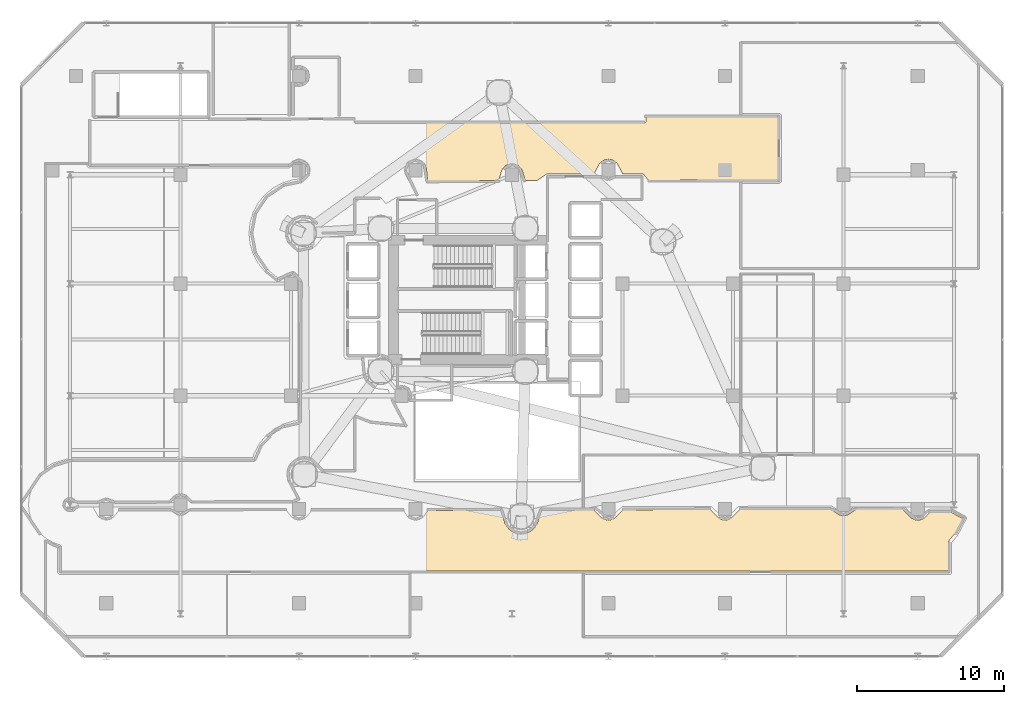
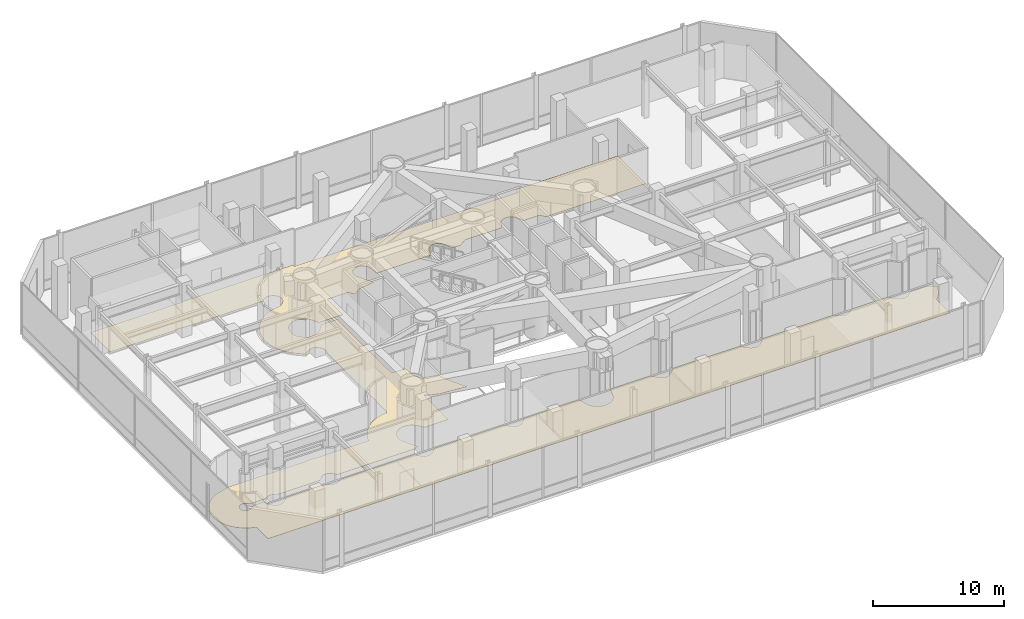
# One storey, part 39 of 40: 1 covering.
"""IFC4 building model written with IfcOpenShell, lengths in metres."""

from ifc_helpers import new_model, si_unit, direction, frame, origin, place, context, subcontext, project, spatial, polyline, outline, extrude, material, layer, layer_set, type_object, element, save


model = new_model("IFC4")

# Units and contexts
model_context = context("Model", 3, precision=1e-05, world=origin(), true_north=direction((0.0, 1.0)))
body_context = subcontext(model_context, "Body", "Model", "MODEL_VIEW")
ifc_project = project(units=[si_unit("LENGTHUNIT", "METRE"), si_unit("AREAUNIT", "SQUARE_METRE"), si_unit("VOLUMEUNIT", "CUBIC_METRE"), si_unit("PLANEANGLEUNIT", "RADIAN"), si_unit("MASSUNIT", "GRAM", prefix="KILO")], contexts=[model_context])

# Site, building, storey
site_placement = place(None, origin())
site = spatial("IfcSite", under=ifc_project, at=site_placement, CompositionType="ELEMENT")
building_placement = place(site_placement, origin())
building = spatial("IfcBuilding", under=site, at=building_placement, Name="Qianvela Tower", CompositionType="ELEMENT")
storey_placement = place(building_placement, frame((0.0, 0.0, 20.60009765625)))
storey = spatial("IfcBuildingStorey", under=building, at=storey_placement, Name="L04", CompositionType="ELEMENT", Elevation=20.60009765625)

# Covering
ifc_material = material(Name="Honed Stone Terrazzo Flooring", Category="masonry")
ifc_layer = layer(ifc_material, 0.030029296875)
ifc_layer_set = layer_set([ifc_layer], Name="Honed Stone Terrazzo Flooring")
covering_type = type_object("IfcCoveringType", Name="COV-FLOOR-TERRAZZO-30", PredefinedType="FLOORING", material=ifc_layer_set)
covering_placement = place(storey_placement, origin())
element("IfcCovering", 1, at=covering_placement, inside=storey, type_object=covering_type, Name="L04 Finish Flooring L04 Concourse Gallery Corridor", PredefinedType="FLOORING", context=body_context, shape_type="SweptSolid", body=[
    extrude(outline(polyline([(7.701416015625, 15.2333984375), (7.6953125, 15.237548828125), (7.68896484375, 15.2412109375), (7.682373046875, 15.243896484375), (7.67529296875, 15.246337890625), (7.668212890625, 15.248046875), (7.660888671875, 15.249267578125), (7.4296875, 15.27197265625), (7.422119140625, 15.272216796875), (7.4140625, 15.27197265625), (7.406494140625, 15.270751953125), (7.398681640625, 15.268798828125), (7.391357421875, 15.26611328125), (7.247314453125, 15.20654296875), (7.239990234375, 15.203125), (7.2333984375, 15.19921875), (7.22705078125, 15.1943359375), (7.22119140625, 15.189208984375), (7.11083984375, 15.078857421875), (7.105712890625, 15.072998046875), (7.100830078125, 15.066650390625), (7.096923828125, 15.059814453125), (7.093505859375, 15.052734375), (7.03369140625, 14.90869140625), (7.031005859375, 14.9013671875), (7.029296875, 14.8935546875), (7.028076171875, 14.885986328125), (7.027587890625, 14.8779296875), (7.027587890625, 14.721923828125), (7.028076171875, 14.714111328125), (7.029296875, 14.706298828125), (7.031005859375, 14.69873046875), (7.03369140625, 14.69140625), (7.093505859375, 14.547119140625), (7.096923828125, 14.5400390625), (7.100830078125, 14.533203125), (7.105712890625, 14.527099609375), (7.11083984375, 14.521240234375), (7.22119140625, 14.410888671875), (7.22705078125, 14.405517578125), (7.2333984375, 14.40087890625), (7.239990234375, 14.39697265625), (7.247314453125, 14.3935546875), (7.391357421875, 14.333740234375), (7.398681640625, 14.3310546875), (7.406494140625, 14.3291015625), (7.4140625, 14.328125), (7.422119140625, 14.32763671875), (7.4296875, 14.328125), (7.660888671875, 14.350830078125), (7.668212890625, 14.351806640625), (7.675537109375, 14.353759765625), (7.6826171875, 14.356201171875), (7.689453125, 14.359130859375), (7.69580078125, 14.36279296875), (7.701904296875, 14.3671875), (8.094482421875, 14.67041015625), (9.038818359375, 14.6728515625), (9.344482421875, 14.101318359375), (9.348388671875, 14.094482421875), (9.35302734375, 14.088134765625), (9.433837890625, 13.989501953125), (9.439208984375, 13.98388671875), (9.445068359375, 13.978515625), (9.451416015625, 13.973876953125), (9.662109375, 13.8330078125), (9.6689453125, 13.828857421875), (9.676025390625, 13.82568359375), (9.683349609375, 13.822998046875), (9.69091796875, 13.821044921875), (9.939697265625, 13.771484375), (9.947509765625, 13.7705078125), (9.955322265625, 13.77001953125), (9.963134765625, 13.7705078125), (9.970947265625, 13.771484375), (10.2197265625, 13.821044921875), (10.227294921875, 13.822998046875), (10.23486328125, 13.82568359375), (10.241943359375, 13.828857421875), (10.354248046875, 13.888916015625), (10.361083984375, 13.89306640625), (10.3671875, 13.897705078125), (10.4658203125, 13.978515625), (10.4716796875, 13.98388671875), (10.476806640625, 13.989501953125), (10.81005859375, 14.3955078125), (14.338623046875, 14.404296875), (14.703857421875, 14.135009765625), (14.711181640625, 14.13037109375), (14.718994140625, 14.126220703125), (14.72705078125, 14.123291015625), (14.735595703125, 14.12109375), (14.984375, 14.071533203125), (14.9921875, 14.0703125), (15.0, 14.070068359375), (15.0078125, 14.0703125), (15.015625, 14.071533203125), (15.264404296875, 14.12109375), (15.27294921875, 14.123291015625), (15.281005859375, 14.126220703125), (15.288818359375, 14.13037109375), (15.29638671875, 14.135009765625), (15.665283203125, 14.40771484375), (22.166748046875, 14.423828125), (22.523193359375, 13.989501953125), (22.5283203125, 13.98388671875), (22.5341796875, 13.978515625), (22.6328125, 13.897705078125), (22.638916015625, 13.89306640625), (22.645751953125, 13.888916015625), (22.65283203125, 13.885498046875), (22.88720703125, 13.78857421875), (22.89453125, 13.785888671875), (22.902099609375, 13.783935546875), (22.909912109375, 13.782958984375), (23.036865234375, 13.7705078125), (23.044677734375, 13.77001953125), (23.052490234375, 13.7705078125), (23.17919921875, 13.782958984375), (23.18701171875, 13.783935546875), (23.194580078125, 13.785888671875), (23.201904296875, 13.78857421875), (23.436279296875, 13.885498046875), (23.443359375, 13.888916015625), (23.4501953125, 13.89306640625), (23.45654296875, 13.897705078125), (23.554931640625, 13.978515625), (23.560791015625, 13.98388671875), (23.566162109375, 13.989501953125), (23.899169921875, 14.3955078125), (30.12841796875, 14.4111328125), (30.4150390625, 13.981689453125), (30.419921875, 13.9755859375), (30.425048828125, 13.9697265625), (30.430908203125, 13.96435546875), (30.437255859375, 13.959716796875), (30.654541015625, 13.814453125), (30.661376953125, 13.810302734375), (30.66845703125, 13.80712890625), (30.67578125, 13.804443359375), (30.683349609375, 13.802490234375), (30.939697265625, 13.75146484375), (30.947509765625, 13.75048828125), (30.955322265625, 13.75), (30.963134765625, 13.75048828125), (30.970947265625, 13.75146484375), (31.227294921875, 13.802490234375), (31.235107421875, 13.804443359375), (31.242431640625, 13.80712890625), (31.24951171875, 13.810302734375), (31.256103515625, 13.814453125), (31.4736328125, 13.959716796875), (31.47998046875, 13.96435546875), (31.485595703125, 13.9697265625), (31.490966796875, 13.9755859375), (31.49560546875, 13.981689453125), (31.785400390625, 14.415283203125), (36.746826171875, 14.427734375), (37.0087890625, 13.564208984375), (37.01123046875, 13.556884765625), (37.0146484375, 13.5498046875), (37.1181640625, 13.35595703125), (37.122314453125, 13.349365234375), (37.126953125, 13.343017578125), (37.26611328125, 13.17333984375), (37.271484375, 13.16748046875), (37.27734375, 13.162109375), (37.447021484375, 13.02294921875), (37.453369140625, 13.018310546875), (37.4599609375, 13.01416015625), (37.65380859375, 12.91064453125), (37.660888671875, 12.9072265625), (37.668212890625, 12.90478515625), (37.87841796875, 12.841064453125), (37.885986328125, 12.839111328125), (37.893798828125, 12.837890625), (38.1123046875, 12.81640625), (38.1201171875, 12.81591796875), (38.127685546875, 12.81640625), (38.34619140625, 12.837890625), (38.35400390625, 12.839111328125), (38.36181640625, 12.841064453125), (38.57177734375, 12.90478515625), (38.5791015625, 12.9072265625), (38.586181640625, 12.91064453125), (38.780029296875, 13.01416015625), (38.78662109375, 13.018310546875), (38.79296875, 13.02294921875), (38.962646484375, 13.162109375), (38.968505859375, 13.16748046875), (38.973876953125, 13.17333984375), (39.113037109375, 13.343017578125), (39.117919921875, 13.349365234375), (39.121826171875, 13.35595703125), (39.225341796875, 13.5498046875), (39.228759765625, 13.556884765625), (39.231201171875, 13.564208984375), (39.495361328125, 14.4345703125), (43.05859375, 14.443359375), (43.61572265625, 13.88623046875), (43.62158203125, 13.881103515625), (43.6279296875, 13.87646484375), (43.634765625, 13.872314453125), (43.641845703125, 13.868896484375), (43.88330078125, 13.76904296875), (43.890625, 13.766357421875), (43.898193359375, 13.764404296875), (43.906005859375, 13.76318359375), (44.036865234375, 13.75048828125), (44.044677734375, 13.75), (44.052490234375, 13.75048828125), (44.18310546875, 13.76318359375), (44.19091796875, 13.764404296875), (44.198486328125, 13.766357421875), (44.205810546875, 13.76904296875), (44.447509765625, 13.868896484375), (44.45458984375, 13.872314453125), (44.461181640625, 13.87646484375), (44.467529296875, 13.881103515625), (44.473388671875, 13.88623046875), (45.035400390625, 14.448486328125), (50.94970703125, 14.463134765625), (51.526611328125, 13.88623046875), (51.532470703125, 13.881103515625), (51.538818359375, 13.87646484375), (51.54541015625, 13.872314453125), (51.552490234375, 13.868896484375), (51.794189453125, 13.76904296875), (51.801513671875, 13.766357421875), (51.80908203125, 13.764404296875), (51.81689453125, 13.76318359375), (51.947509765625, 13.75048828125), (51.955322265625, 13.75), (51.963134765625, 13.75048828125), (52.093994140625, 13.76318359375), (52.101806640625, 13.764404296875), (52.109375, 13.766357421875), (52.11669921875, 13.76904296875), (52.358154296875, 13.868896484375), (52.365234375, 13.872314453125), (52.3720703125, 13.87646484375), (52.37841796875, 13.881103515625), (52.38427734375, 13.88623046875), (52.966064453125, 14.46826171875), (59.146484375, 14.483642578125), (59.69921875, 14.114501953125), (59.705810546875, 14.1103515625), (59.712890625, 14.107177734375), (59.720458984375, 14.1044921875), (59.72802734375, 14.1025390625), (59.984375, 14.051513671875), (59.9921875, 14.05029296875), (60.0, 14.050048828125), (60.0078125, 14.05029296875), (60.015625, 14.051513671875), (60.27197265625, 14.1025390625), (60.279541015625, 14.1044921875), (60.287109375, 14.107177734375), (60.294189453125, 14.1103515625), (60.30078125, 14.114501953125), (60.85986328125, 14.48779296875), (64.0107421875, 14.495849609375), (64.615478515625, 13.88671875), (64.621337890625, 13.881103515625), (64.627685546875, 13.87646484375), (64.634521484375, 13.872314453125), (64.641845703125, 13.868896484375), (64.88330078125, 13.76904296875), (64.890625, 13.766357421875), (64.898193359375, 13.764404296875), (64.906005859375, 13.76318359375), (64.913818359375, 13.762939453125), (65.17529296875, 13.762939453125), (65.18310546875, 13.76318359375), (65.19091796875, 13.764404296875), (65.198486328125, 13.766357421875), (65.205810546875, 13.76904296875), (65.447509765625, 13.868896484375), (65.45458984375, 13.872314453125), (65.461181640625, 13.87646484375), (65.467529296875, 13.881103515625), (65.473388671875, 13.88623046875), (65.853515625, 14.2666015625), (67.3291015625, 14.270263671875), (68.10693359375, 13.8544921875), (67.5556640625, 12.822998046875), (67.138916015625, 12.32958984375), (67.134033203125, 12.3232421875), (67.1298828125, 12.31640625), (67.126220703125, 12.30908203125), (67.12353515625, 12.301513671875), (67.12158203125, 12.293701171875), (67.120361328125, 12.285888671875), (67.1201171875, 12.27783203125), (67.1201171875, 10.280029296875), (6.8798828125, 10.280029296875), (6.8798828125, 11.996337890625), (6.879638671875, 12.00439453125), (6.87841796875, 12.01220703125), (6.876708984375, 12.019775390625), (6.873779296875, 12.027099609375), (6.87060546875, 12.0341796875), (6.866455078125, 12.041015625), (6.86181640625, 12.047119140625), (6.856689453125, 12.052978515625), (6.850830078125, 12.058349609375), (6.844482421875, 12.06298828125), (6.837646484375, 12.06689453125), (6.83056640625, 12.0703125), (6.8232421875, 12.072998046875), (6.4208984375, 12.195068359375), (5.93359375, 12.45556640625), (5.506103515625, 12.80615234375), (5.155517578125, 13.2333984375), (4.89501953125, 13.720947265625), (4.734619140625, 14.25), (4.680419921875, 14.800048828125), (4.734619140625, 15.35009765625), (4.89501953125, 15.87890625), (5.155517578125, 16.366455078125), (5.506103515625, 16.793701171875), (5.93359375, 17.144287109375), (6.4208984375, 17.405029296875), (7.624267578125, 17.77001953125), (14.4921875, 17.77001953125), (14.500244140625, 17.7705078125), (15.0, 17.819580078125), (15.499755859375, 17.7705078125), (15.5078125, 17.77001953125), (20.012451171875, 17.77001953125), (20.020263671875, 17.7705078125), (20.028076171875, 17.771484375), (20.03564453125, 17.7734375), (20.043212890625, 17.776123046875), (20.050048828125, 17.779296875), (20.056884765625, 17.783447265625), (20.063232421875, 17.7880859375), (20.069091796875, 17.79345703125), (20.07421875, 17.79931640625), (20.0791015625, 17.8056640625), (20.0830078125, 17.812255859375), (20.086181640625, 17.8193359375), (20.089111328125, 17.826904296875), (20.198486328125, 18.187744140625), (20.51904296875, 18.78759765625), (20.95068359375, 19.3134765625), (21.476318359375, 19.744873046875), (22.076171875, 20.0654296875), (22.72705078125, 20.262939453125), (23.10791015625, 20.30029296875), (23.115478515625, 20.301513671875), (23.123291015625, 20.303466796875), (23.130615234375, 20.30615234375), (23.1376953125, 20.3095703125), (23.144287109375, 20.3134765625), (23.15087890625, 20.318115234375), (23.156494140625, 20.323486328125), (23.161865234375, 20.329345703125), (23.16650390625, 20.335693359375), (23.170654296875, 20.34228515625), (23.173828125, 20.349365234375), (23.176513671875, 20.356689453125), (23.178466796875, 20.364501953125), (23.1796875, 20.372314453125), (23.179931640625, 20.380126953125), (23.179931640625, 21.872314453125), (23.248046875, 22.182861328125), (23.24951171875, 22.19140625), (23.25, 22.199951171875), (23.24951171875, 22.20849609375), (23.248046875, 22.217041015625), (23.179931640625, 22.527587890625), (23.179931640625, 29.468994140625), (23.233642578125, 29.64599609375), (23.235595703125, 29.65380859375), (23.23681640625, 29.661376953125), (23.237060546875, 29.669189453125), (23.237060546875, 29.9306640625), (23.23681640625, 29.938720703125), (23.235595703125, 29.9462890625), (23.233642578125, 29.953857421875), (23.23095703125, 29.961181640625), (23.131103515625, 30.202880859375), (23.127685546875, 30.2099609375), (23.12353515625, 30.216796875), (23.118896484375, 30.222900390625), (23.03564453125, 30.324462890625), (23.0302734375, 30.330322265625), (23.0244140625, 30.335693359375), (22.6982421875, 30.603515625), (22.69189453125, 30.60791015625), (22.685302734375, 30.612060546875), (22.677978515625, 30.615478515625), (22.670654296875, 30.6181640625), (22.6630859375, 30.6201171875), (22.6552734375, 30.62109375), (22.6474609375, 30.62158203125), (22.6396484375, 30.62109375), (22.6318359375, 30.6201171875), (22.624267578125, 30.6181640625), (22.220458984375, 30.49560546875), (22.212890625, 30.492919921875), (22.205810546875, 30.489501953125), (21.6162109375, 30.17431640625), (20.884521484375, 30.774658203125), (20.453125, 31.30029296875), (20.132568359375, 31.900146484375), (19.93505859375, 32.551025390625), (19.868408203125, 33.22802734375), (19.93505859375, 33.90478515625), (20.132568359375, 34.555908203125), (20.453125, 35.155517578125), (20.884521484375, 35.681396484375), (21.410400390625, 36.11279296875), (22.01025390625, 36.43359375), (22.6611328125, 36.630859375), (23.20703125, 36.684814453125), (23.21484375, 36.685791015625), (23.222412109375, 36.687744140625), (23.229736328125, 36.6904296875), (23.23681640625, 36.69384765625), (23.24365234375, 36.69775390625), (23.25, 36.702392578125), (23.569091796875, 36.96435546875), (23.574951171875, 36.9697265625), (23.580078125, 36.9755859375), (23.5849609375, 36.981689453125), (23.72998046875, 37.19921875), (23.734130859375, 37.205810546875), (23.737548828125, 37.212890625), (23.740234375, 37.220458984375), (23.7421875, 37.22802734375), (23.793212890625, 37.484375), (23.794189453125, 37.4921875), (23.794677734375, 37.5), (23.794189453125, 37.5078125), (23.78125, 37.638671875), (23.7802734375, 37.646240234375), (23.7783203125, 37.65380859375), (23.775634765625, 37.661376953125), (23.675537109375, 37.90283203125), (23.672119140625, 37.909912109375), (23.668212890625, 37.916748046875), (23.66357421875, 37.923095703125), (23.658203125, 37.9287109375), (23.473388671875, 38.11376953125), (23.467529296875, 38.118896484375), (23.461181640625, 38.12353515625), (23.45458984375, 38.127685546875), (23.447509765625, 38.131103515625), (23.205810546875, 38.23095703125), (23.198486328125, 38.233642578125), (23.19091796875, 38.235595703125), (23.18310546875, 38.23681640625), (23.052490234375, 38.24951171875), (23.044677734375, 38.25), (23.036865234375, 38.24951171875), (22.906005859375, 38.23681640625), (22.898193359375, 38.235595703125), (22.890625, 38.233642578125), (22.88330078125, 38.23095703125), (22.641845703125, 38.131103515625), (22.634765625, 38.127685546875), (22.6279296875, 38.12353515625), (22.62158203125, 38.118896484375), (22.33056640625, 37.8798828125), (15.32763671875, 37.8798828125), (15.01708984375, 37.947998046875), (15.008544921875, 37.949462890625), (15.0, 37.949951171875), (14.991455078125, 37.949462890625), (14.98291015625, 37.947998046875), (14.67236328125, 37.8798828125), (8.8798828125, 37.8798828125), (8.8798828125, 40.8798828125), (16.89990234375, 40.8798828125), (16.908203125, 40.88037109375), (16.916015625, 40.881591796875), (16.923828125, 40.8837890625), (17.103759765625, 40.93994140625), (26.77001953125, 40.93994140625), (26.77001953125, 40.800048828125), (26.7705078125, 40.792236328125), (26.771484375, 40.784423828125), (26.7734375, 40.77685546875), (26.776123046875, 40.769287109375), (26.779296875, 40.76220703125), (26.783447265625, 40.755615234375), (26.7880859375, 40.749267578125), (26.79345703125, 40.743408203125), (26.79931640625, 40.73828125), (26.8056640625, 40.7333984375), (26.812255859375, 40.7294921875), (26.8193359375, 40.72607421875), (26.826904296875, 40.723388671875), (26.83447265625, 40.721435546875), (26.84228515625, 40.720458984375), (26.85009765625, 40.719970703125), (46.5, 40.719970703125), (46.5078125, 40.720458984375), (46.515625, 40.721435546875), (46.523193359375, 40.723388671875), (46.530517578125, 40.72607421875), (46.53759765625, 40.7294921875), (46.54443359375, 40.7333984375), (46.55078125, 40.73828125), (46.556640625, 40.743408203125), (46.561767578125, 40.749267578125), (46.56640625, 40.755615234375), (46.570556640625, 40.76220703125), (46.573974609375, 40.769287109375), (46.57666015625, 40.77685546875), (46.57861328125, 40.784423828125), (46.57958984375, 40.792236328125), (46.580078125, 40.800048828125), (46.580078125, 41.1201171875), (55.570068359375, 41.1201171875), (55.570068359375, 36.838134765625), (46.76318359375, 36.816162109375), (46.439697265625, 37.210205078125), (46.4345703125, 37.2158203125), (46.4287109375, 37.22119140625), (46.422607421875, 37.225830078125), (46.415771484375, 37.22998046875), (46.40869140625, 37.233154296875), (46.4013671875, 37.23583984375), (46.393798828125, 37.23779296875), (46.385986328125, 37.239013671875), (46.378173828125, 37.2392578125), (45.029296875, 37.241943359375), (44.672119140625, 37.909912109375), (44.668212890625, 37.916748046875), (44.66357421875, 37.923095703125), (44.580078125, 38.0244140625), (44.574951171875, 38.0302734375), (44.569091796875, 38.03564453125), (44.562744140625, 38.040283203125), (44.345458984375, 38.185546875), (44.338623046875, 38.189697265625), (44.33154296875, 38.19287109375), (44.32421875, 38.195556640625), (44.316650390625, 38.197509765625), (44.060302734375, 38.24853515625), (44.052490234375, 38.24951171875), (44.044677734375, 38.25), (44.036865234375, 38.24951171875), (44.029052734375, 38.24853515625), (43.772705078125, 38.197509765625), (43.764892578125, 38.195556640625), (43.757568359375, 38.19287109375), (43.75048828125, 38.189697265625), (43.743896484375, 38.185546875), (43.5263671875, 38.040283203125), (43.52001953125, 38.03564453125), (43.514404296875, 38.0302734375), (43.509033203125, 38.0244140625), (43.42578125, 37.923095703125), (43.4208984375, 37.916748046875), (43.4169921875, 37.909912109375), (43.059814453125, 37.241943359375), (39.873779296875, 37.24169921875), (39.865966796875, 37.2412109375), (39.858154296875, 37.239990234375), (39.850341796875, 37.23828125), (39.843017578125, 37.235595703125), (39.835693359375, 37.23193359375), (39.8291015625, 37.227783203125), (39.193603515625, 36.797119140625), (38.403076171875, 36.79541015625), (38.195556640625, 37.4794921875), (38.19287109375, 37.487060546875), (38.189697265625, 37.494140625), (38.185546875, 37.500732421875), (38.040283203125, 37.71826171875), (38.03564453125, 37.724609375), (38.0302734375, 37.730224609375), (38.0244140625, 37.735595703125), (37.923095703125, 37.81884765625), (37.916748046875, 37.823486328125), (37.909912109375, 37.82763671875), (37.90283203125, 37.8310546875), (37.661376953125, 37.930908203125), (37.65380859375, 37.93359375), (37.646240234375, 37.935546875), (37.638671875, 37.936767578125), (37.5078125, 37.94970703125), (37.5, 37.949951171875), (37.4921875, 37.94970703125), (37.361328125, 37.936767578125), (37.353759765625, 37.935546875), (37.34619140625, 37.93359375), (37.338623046875, 37.930908203125), (37.09716796875, 37.8310546875), (37.090087890625, 37.82763671875), (37.083251953125, 37.823486328125), (37.076904296875, 37.81884765625), (37.0712890625, 37.813720703125), (36.88623046875, 37.62890625), (36.881103515625, 37.623046875), (36.87646484375, 37.61669921875), (36.872314453125, 37.60986328125), (36.810302734375, 37.494140625), (36.80712890625, 37.487060546875), (36.804443359375, 37.4794921875), (36.595458984375, 36.790771484375), (31.77685546875, 36.77880859375), (31.692138671875, 37.638671875), (31.69091796875, 37.646240234375), (31.689208984375, 37.65380859375), (31.686279296875, 37.661376953125), (31.58642578125, 37.90283203125), (31.5830078125, 37.909912109375), (31.5791015625, 37.916748046875), (31.57421875, 37.923095703125), (31.569091796875, 37.9287109375), (31.38427734375, 38.11376953125), (31.37841796875, 38.118896484375), (31.3720703125, 38.12353515625), (31.365234375, 38.127685546875), (31.358154296875, 38.131103515625), (31.11669921875, 38.23095703125), (31.109375, 38.233642578125), (31.101806640625, 38.235595703125), (31.093994140625, 38.23681640625), (30.963134765625, 38.24951171875), (30.955322265625, 38.25), (30.947509765625, 38.24951171875), (30.939697265625, 38.24853515625), (30.683349609375, 38.197509765625), (30.67578125, 38.195556640625), (30.66845703125, 38.19287109375), (30.661376953125, 38.189697265625), (30.654541015625, 38.185546875), (30.437255859375, 38.040283203125), (30.430908203125, 38.03564453125), (30.425048828125, 38.0302734375), (30.419921875, 38.0244140625), (30.4150390625, 38.018310546875), (30.27001953125, 37.80078125), (30.265869140625, 37.794189453125), (30.262451171875, 37.787109375), (30.259765625, 37.779541015625), (30.2578125, 37.77197265625), (30.206787109375, 37.515625), (30.205810546875, 37.5078125), (30.205322265625, 37.5), (30.205810546875, 37.4921875), (30.206787109375, 37.484375), (30.2578125, 37.22802734375), (30.259765625, 37.220458984375), (30.262451171875, 37.212890625), (30.265869140625, 37.205810546875), (30.988037109375, 35.854736328125), (29.670166015625, 35.658447265625), (29.66259765625, 35.656982421875), (29.655029296875, 35.65478515625), (29.64794921875, 35.651611328125), (29.64111328125, 35.64794921875), (28.93408203125, 35.226318359375), (28.60205078125, 35.630859375), (28.5966796875, 35.63671875), (28.5908203125, 35.641845703125), (28.584716796875, 35.646484375), (28.577880859375, 35.650634765625), (28.57080078125, 35.65380859375), (28.563232421875, 35.656494140625), (28.5556640625, 35.658447265625), (28.548095703125, 35.65966796875), (28.5400390625, 35.659912109375), (26.85009765625, 35.659912109375), (26.84228515625, 35.65966796875), (26.83447265625, 35.658447265625), (26.826904296875, 35.656494140625), (26.8193359375, 35.65380859375), (26.812255859375, 35.650634765625), (26.8056640625, 35.646484375), (26.79931640625, 35.641845703125), (26.79345703125, 35.63671875), (26.7880859375, 35.630859375), (26.783447265625, 35.62451171875), (26.779296875, 35.61767578125), (26.776123046875, 35.610595703125), (26.7734375, 35.603271484375), (26.771484375, 35.595703125), (26.7705078125, 35.587890625), (26.77001953125, 35.580078125), (26.77001953125, 33.29736328125), (24.658203125, 33.2919921875), (24.33984375, 33.887939453125), (24.335693359375, 33.894775390625), (24.3310546875, 33.90087890625), (24.19189453125, 34.07080078125), (24.1865234375, 34.076416015625), (24.1806640625, 34.081787109375), (24.010986328125, 34.22119140625), (24.004638671875, 34.225830078125), (23.998046875, 34.229736328125), (23.80419921875, 34.333251953125), (23.797119140625, 34.336669921875), (23.789794921875, 34.33935546875), (23.57958984375, 34.403076171875), (23.572021484375, 34.40478515625), (23.564208984375, 34.406005859375), (23.345703125, 34.427490234375), (23.337890625, 34.427978515625), (23.330078125, 34.427490234375), (23.11181640625, 34.406005859375), (23.10400390625, 34.40478515625), (23.09619140625, 34.403076171875), (22.88623046875, 34.33935546875), (22.87890625, 34.336669921875), (22.87158203125, 34.333251953125), (22.677978515625, 34.229736328125), (22.67138671875, 34.225830078125), (22.6650390625, 34.22119140625), (22.495361328125, 34.081787109375), (22.489501953125, 34.076416015625), (22.484130859375, 34.07080078125), (22.344970703125, 33.90087890625), (22.340087890625, 33.894775390625), (22.336181640625, 33.887939453125), (22.232666015625, 33.6943359375), (22.229248046875, 33.687255859375), (22.226806640625, 33.6796875), (22.1630859375, 33.4697265625), (22.1611328125, 33.462158203125), (22.159912109375, 33.454345703125), (22.138427734375, 33.23583984375), (22.137939453125, 33.22802734375), (22.138427734375, 33.22021484375), (22.159912109375, 33.001708984375), (22.1611328125, 32.993896484375), (22.1630859375, 32.986328125), (22.226806640625, 32.776123046875), (22.229248046875, 32.768798828125), (22.232666015625, 32.76171875), (22.336181640625, 32.568115234375), (22.340087890625, 32.561279296875), (22.344970703125, 32.554931640625), (22.484130859375, 32.38525390625), (22.489501953125, 32.37939453125), (22.495361328125, 32.374267578125), (22.93701171875, 32.01171875), (22.943359375, 32.007080078125), (22.9501953125, 32.0029296875), (22.957275390625, 31.99951171875), (22.964599609375, 31.9970703125), (22.97216796875, 31.9951171875), (22.97998046875, 31.993896484375), (22.98779296875, 31.993408203125), (22.99560546875, 31.993896484375), (23.564208984375, 32.0498046875), (23.572021484375, 32.051025390625), (23.57958984375, 32.052978515625), (23.789794921875, 32.11669921875), (23.797119140625, 32.119384765625), (23.80419921875, 32.122802734375), (23.998046875, 32.226318359375), (24.004638671875, 32.230224609375), (24.010986328125, 32.23486328125), (24.1806640625, 32.374267578125), (24.1865234375, 32.37939453125), (24.19189453125, 32.38525390625), (24.656982421875, 32.951904296875), (26.099609375, 32.95556640625), (26.10595703125, 24.859375), (26.1064453125, 24.8515625), (26.107666015625, 24.84375), (26.109619140625, 24.836181640625), (26.112060546875, 24.82861328125), (26.115478515625, 24.821533203125), (26.119384765625, 24.81494140625), (26.164794921875, 24.747314453125), (26.169189453125, 24.740966796875), (26.174560546875, 24.735107421875), (26.180419921875, 24.72998046875), (26.186767578125, 24.725341796875), (26.193603515625, 24.72119140625), (26.20068359375, 24.718017578125), (26.275634765625, 24.686767578125), (26.282958984375, 24.68408203125), (26.29052734375, 24.68212890625), (26.29833984375, 24.68115234375), (26.30615234375, 24.6806640625), (27.31787109375, 24.679931640625), (27.421875, 23.623779296875), (27.423095703125, 23.615966796875), (27.425048828125, 23.6083984375), (27.48876953125, 23.398193359375), (27.4912109375, 23.390869140625), (27.49462890625, 23.3837890625), (27.59814453125, 23.18994140625), (27.602294921875, 23.183349609375), (27.60693359375, 23.177001953125), (27.74609375, 23.00732421875), (27.75146484375, 23.00146484375), (27.75732421875, 22.99609375), (27.927001953125, 22.85693359375), (27.933349609375, 22.852294921875), (27.93994140625, 22.84814453125), (28.1337890625, 22.74462890625), (28.140869140625, 22.7412109375), (28.148193359375, 22.73876953125), (28.3583984375, 22.675048828125), (28.365966796875, 22.673095703125), (28.373779296875, 22.671875), (29.09814453125, 22.6005859375), (29.304443359375, 21.92041015625), (29.30712890625, 21.9130859375), (29.310302734375, 21.906005859375), (30.210693359375, 20.2216796875), (27.923095703125, 20.447021484375), (27.272216796875, 20.64453125), (26.8876953125, 20.85009765625), (26.880615234375, 20.853515625), (26.873291015625, 20.85595703125), (26.865478515625, 20.85791015625), (26.85791015625, 20.859130859375), (26.85009765625, 20.859619140625), (26.84228515625, 20.859130859375), (26.83447265625, 20.85791015625), (26.826904296875, 20.85595703125), (26.8193359375, 20.853515625), (26.812255859375, 20.85009765625), (26.8056640625, 20.845947265625), (26.79931640625, 20.84130859375), (26.79345703125, 20.8359375), (26.7880859375, 20.830078125), (26.783447265625, 20.823974609375), (26.779296875, 20.817138671875), (26.776123046875, 20.81005859375), (26.7734375, 20.802734375), (26.771484375, 20.795166015625), (26.7705078125, 20.787353515625), (26.77001953125, 20.779541015625), (26.77001953125, 17.145751953125), (24.693359375, 17.140380859375), (24.24365234375, 17.688720703125), (24.23828125, 17.6943359375), (24.232666015625, 17.69970703125), (24.06591796875, 17.83642578125), (24.0595703125, 17.841064453125), (24.052734375, 17.84521484375), (23.86279296875, 17.94677734375), (23.855712890625, 17.9501953125), (23.84814453125, 17.952880859375), (23.641845703125, 18.015380859375), (23.63427734375, 18.017333984375), (23.62646484375, 18.0185546875), (23.411865234375, 18.03955078125), (23.404052734375, 18.0400390625), (23.396240234375, 18.03955078125), (23.181640625, 18.0185546875), (23.173828125, 18.017333984375), (23.166259765625, 18.015380859375), (22.959716796875, 17.952880859375), (22.952392578125, 17.9501953125), (22.9453125, 17.94677734375), (22.755126953125, 17.84521484375), (22.748291015625, 17.841064453125), (22.7421875, 17.83642578125), (22.575439453125, 17.69970703125), (22.569580078125, 17.6943359375), (22.564208984375, 17.688720703125), (22.427490234375, 17.52197265625), (22.4228515625, 17.515625), (22.418701171875, 17.5087890625), (22.317138671875, 17.318603515625), (22.313720703125, 17.3115234375), (22.311279296875, 17.30419921875), (22.24853515625, 17.097900390625), (22.24658203125, 17.090087890625), (22.24560546875, 17.08251953125), (22.224365234375, 16.867919921875), (22.22412109375, 16.860107421875), (22.224365234375, 16.852294921875), (22.24560546875, 16.6376953125), (22.24658203125, 16.6298828125), (22.24853515625, 16.622314453125), (22.311279296875, 16.415771484375), (22.313720703125, 16.408447265625), (22.317138671875, 16.4013671875), (22.955078125, 15.20751953125), (22.782958984375, 15.179443359375), (22.774658203125, 15.177734375), (22.7666015625, 15.175048828125), (22.759033203125, 15.17138671875), (22.751708984375, 15.167236328125), (22.569580078125, 15.046630859375), (15.74951171875, 15.029541015625), (15.42041015625, 15.39404296875), (15.41552734375, 15.399169921875), (15.41015625, 15.40380859375), (15.404296875, 15.40771484375), (15.398193359375, 15.411376953125), (15.3916015625, 15.414306640625), (15.157470703125, 15.511474609375), (15.14990234375, 15.51416015625), (15.142333984375, 15.51611328125), (15.134765625, 15.51708984375), (15.0078125, 15.529541015625), (15.0, 15.530029296875), (14.9921875, 15.529541015625), (14.865234375, 15.51708984375), (14.857666015625, 15.51611328125), (14.85009765625, 15.51416015625), (14.842529296875, 15.511474609375), (14.6083984375, 15.414306640625), (14.601806640625, 15.411376953125), (14.595703125, 15.40771484375), (14.58984375, 15.40380859375), (14.58447265625, 15.399169921875), (14.57958984375, 15.39404296875), (14.247314453125, 15.02587890625), (10.531005859375, 15.0166015625), (10.241943359375, 15.171142578125), (10.23486328125, 15.17431640625), (10.227294921875, 15.177001953125), (10.2197265625, 15.178955078125), (9.970947265625, 15.228515625), (9.963134765625, 15.2294921875), (9.955322265625, 15.22998046875), (9.947509765625, 15.2294921875), (9.939697265625, 15.228515625), (9.69091796875, 15.178955078125), (9.683349609375, 15.177001953125), (9.676025390625, 15.17431640625), (9.6689453125, 15.171142578125), (9.37451171875, 15.013671875), (7.99560546875, 15.01025390625), (7.701416015625, 15.2333984375)])), origin(), (0.0, 0.0, 1.0), 0.02978515625),
])

save(model, "model.ifc")
